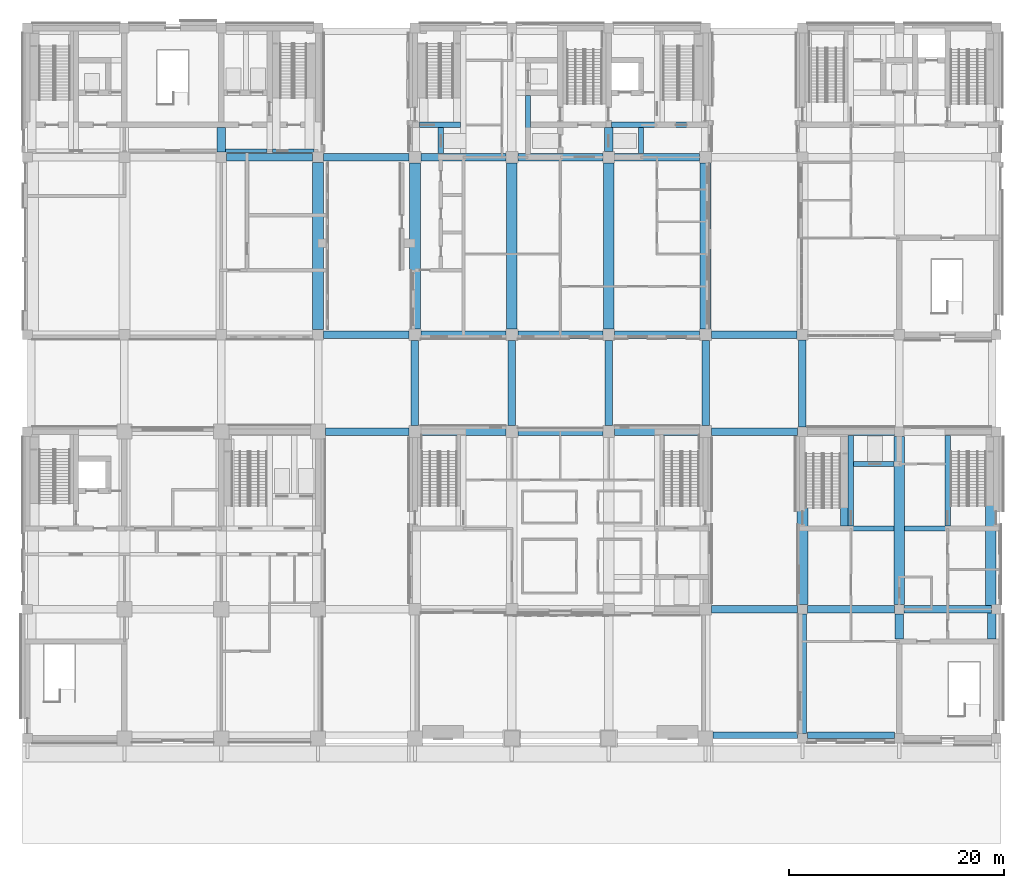
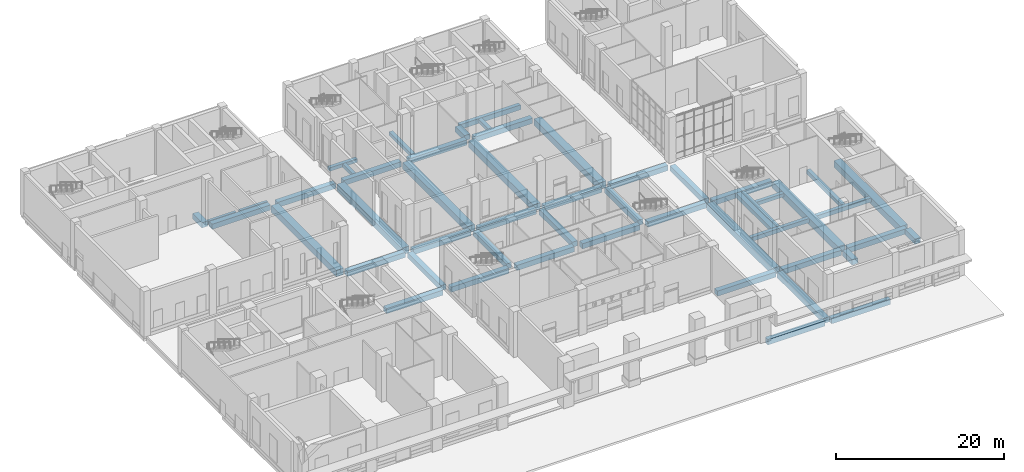
# One storey, part 2 of 35: 52 beams.
"""IFC4 building model written with IfcOpenShell, lengths in metres."""

import ifcopenshell
import ifcopenshell.guid

model = None  # the IFC model being written
_history = None  # IfcOwnerHistory: only IFC2X3 demands one
_inside = {}  # id of a spatial element -> (the spatial element, [elements in it])
_under = {}  # id of a project, library or spatial element -> (it, [spatial elements below it])
_declared = {}  # id of a project -> (the project, [libraries it declares])
_typed = {}  # id of a type object -> (the type object, [elements of that type])
_made_of = {}  # id of a material, layer set ... -> (it, [elements and type objects made of it])


def new_model(schema):
    """Start an empty IFC model of exactly this schema.

    Asked for "IFC4X3", IfcOpenShell would pick the latest addendum, in which some entities
    have other attributes; the version numbers below select the first issue.
    IFC2X3 requires an IfcOwnerHistory on every rooted entity: one is made here for all.
    """
    global model, _history
    if schema == "IFC4X3":
        model = ifcopenshell.file(schema_version=(4, 3, 0, 0))
    else:
        model = ifcopenshell.file(schema=schema)
    _inside.clear()
    _under.clear()
    _declared.clear()
    _typed.clear()
    _made_of.clear()
    _history = None
    if model.schema == "IFC2X3":
        org = make("IfcOrganization", Name="unknown")
        user = make(
            "IfcPersonAndOrganization",
            ThePerson=make("IfcPerson", FamilyName="unknown"),
            TheOrganization=org,
        )
        app = make(
            "IfcApplication",
            ApplicationDeveloper=org,
            Version="unknown",
            ApplicationFullName="unknown",
            ApplicationIdentifier="unknown",
        )
        _history = make(
            "IfcOwnerHistory",
            OwningUser=user,
            OwningApplication=app,
            ChangeAction="ADDED",
            CreationDate=0,
        )
    return model


def make(cls, **values):
    """One entity of the class cls with the attributes given. An attribute that is None is left unset."""
    return model.create_entity(
        cls, **{name: value for name, value in values.items() if value is not None}
    )


def rooted(cls, **values):
    """An entity with a GlobalId (a new one), such as an element, a storey or a relation."""
    return make(cls, GlobalId=ifcopenshell.guid.new(), OwnerHistory=_history, **values)


def si_unit(unit_type, name, prefix=None):
    """IfcSIUnit, for example si_unit("LENGTHUNIT", "METRE", prefix="MILLI")."""
    return make("IfcSIUnit", UnitType=unit_type, Prefix=prefix, Name=name)


def assignment(units):
    """IfcUnitAssignment: the units of a project."""
    return None if units is None else make("IfcUnitAssignment", Units=units)


def point(xyz):
    """IfcCartesianPoint."""
    return None if xyz is None else make("IfcCartesianPoint", Coordinates=xyz)


def direction(xyz):
    """IfcDirection."""
    return None if xyz is None else make("IfcDirection", DirectionRatios=xyz)


def frame(location, z_axis=None, x_axis=None):
    """IfcAxis2Placement3D, a coordinate frame: its origin and axes. An axis left out is left unset."""
    return make(
        "IfcAxis2Placement3D",
        Location=point(location),
        Axis=direction(z_axis),
        RefDirection=direction(x_axis),
    )


def frame_2d(location, x_axis=None):
    """IfcAxis2Placement2D, a coordinate frame in the plane: its origin and x axis."""
    return make(
        "IfcAxis2Placement2D", Location=point(location), RefDirection=direction(x_axis)
    )


def origin():
    """The frame at (0, 0, 0) with its axes left unset."""
    return frame((0.0, 0.0, 0.0))


def origin_2d():
    """The frame at (0, 0) in the plane with its x axis left unset."""
    return frame_2d((0.0, 0.0))


def place(relative_to, where):
    """IfcLocalPlacement: puts the frame where relative to a parent placement (None: the world)."""
    return make(
        "IfcLocalPlacement", PlacementRelTo=relative_to, RelativePlacement=where
    )


def context(
    kind, dimensions, precision=None, world=None, true_north=None, identifier=None
):
    """IfcGeometricRepresentationContext, for example the 3D "Model" context."""
    return make(
        "IfcGeometricRepresentationContext",
        ContextIdentifier=identifier,
        ContextType=kind,
        CoordinateSpaceDimension=dimensions,
        Precision=precision,
        WorldCoordinateSystem=world,
        TrueNorth=true_north,
    )


def subcontext(parent, identifier, kind, view, scale=None):
    """IfcGeometricRepresentationSubContext, for example "Body" below "Model"."""
    return make(
        "IfcGeometricRepresentationSubContext",
        ContextIdentifier=identifier,
        ContextType=kind,
        ParentContext=parent,
        TargetScale=scale,
        TargetView=view,
    )


def project(units=None, contexts=None):
    """IfcProject with its units and contexts."""
    return rooted(
        "IfcProject",
        Name="project",
        RepresentationContexts=contexts,
        UnitsInContext=assignment(units),
    )


def spatial(cls, under=None, at=None, **own):
    """A site, building, storey or space (cls), placed at a placement, below another one or the project."""
    s = rooted(cls, ObjectPlacement=at, **own)
    if under is not None:
        _under.setdefault(under.id(), (under, []))[1].append(s)
    return s


def profile(cls, at=None, kind="AREA", **sizes):
    """A parametric profile (cls). Its sizes go by their IFC names, for example OverallWidth=200.0."""
    return make(cls, ProfileType=kind, Position=at, **sizes)


def rectangle(**sizes):
    """IfcRectangleProfileDef."""
    return profile("IfcRectangleProfileDef", **sizes)


def extrude(swept, where, along, depth):
    """IfcExtrudedAreaSolid: the profile swept, set in the frame where, extruded along a direction by depth."""
    return make(
        "IfcExtrudedAreaSolid",
        SweptArea=swept,
        Position=where,
        ExtrudedDirection=direction(along),
        Depth=depth,
    )


def shape(context_of_items, identifier, shape_type, items):
    """IfcShapeRepresentation: the items that make up one representation, for example the "Body"."""
    return make(
        "IfcShapeRepresentation",
        ContextOfItems=context_of_items,
        RepresentationIdentifier=identifier,
        RepresentationType=shape_type,
        Items=items,
    )


def material(Name=None, Category=None):
    """IfcMaterial."""
    return make("IfcMaterial", Name=Name, Category=Category)


def material_profile(
    of_material, cross_section, Name=None, Category=None, Priority=None
):
    """IfcMaterialProfile: a cross section and its material."""
    return make(
        "IfcMaterialProfile",
        Name=Name,
        Material=of_material,
        Profile=cross_section,
        Priority=Priority,
        Category=Category,
    )


def profile_set(profiles, Name=None, composite=None):
    """IfcMaterialProfileSet."""
    return make(
        "IfcMaterialProfileSet",
        Name=Name,
        MaterialProfiles=profiles,
        CompositeProfile=composite,
    )


def made_of(thing, what):
    """Note that an element or type object is made of a material, layer set ...; save() writes the relation."""
    if what is not None:
        _made_of.setdefault(what.id(), (what, []))[1].append(thing)
    return thing


def type_object(cls, material=None, **own):
    """A type object (cls), such as IfcWallType, which elements share."""
    return made_of(rooted(cls, **own), material)


def element(
    cls,
    number,
    at=None,
    inside=None,
    cuts=None,
    type_object=None,
    material=None,
    context=None,
    identifier="Body",
    shape_type=None,
    held_by="IfcProductDefinitionShape",
    body=None,
    shapes=None,
    **own,
):
    """One element of the class cls, such as IfcWall. Its Tag is "e" and its number.

    at: its placement. inside: the storey or other place that contains it. cuts: it is an
    opening in that element (IfcRelVoidsElement). A single representation is given by context,
    identifier, shape_type and body (its items); several are given by shapes. held_by: the class
    of the entity that holds the representations. save() writes the other relations.
    """
    e = rooted(cls, Tag="e%d" % number, ObjectPlacement=at, **own)
    if body is not None:
        shapes = [shape(context, identifier, shape_type, body)]
    if shapes is not None:
        e.Representation = make(held_by, Representations=shapes)
    if inside is not None:
        _inside.setdefault(inside.id(), (inside, []))[1].append(e)
    if cuts is not None:
        rooted(
            "IfcRelVoidsElement", RelatingBuildingElement=cuts, RelatedOpeningElement=e
        )
    if type_object is not None:
        _typed.setdefault(type_object.id(), (type_object, []))[1].append(e)
    return made_of(e, material)


def aggregate(whole, parts):
    """IfcRelAggregates: a whole, such as a stair, and the parts it consists of."""
    return rooted("IfcRelAggregates", RelatingObject=whole, RelatedObjects=parts)


def save(model, path):
    """Write the relations noted so far, then the file.

    IfcRelAggregates (storeys below a building ...), IfcRelContainedInSpatialStructure (elements
    in a storey), IfcRelDefinesByType, IfcRelAssociatesMaterial and IfcRelDeclares: one each for
    every whole, place, type object, material and project.
    """
    for whole, parts in _under.values():
        aggregate(whole, parts)
    for where, things in _inside.values():
        rooted(
            "IfcRelContainedInSpatialStructure",
            RelatedElements=things,
            RelatingStructure=where,
        )
    for kind, things in _typed.values():
        rooted("IfcRelDefinesByType", RelatedObjects=things, RelatingType=kind)
    for what, things in _made_of.values():
        rooted("IfcRelAssociatesMaterial", RelatedObjects=things, RelatingMaterial=what)
    for by, libraries in _declared.values():
        rooted("IfcRelDeclares", RelatingContext=by, RelatedDefinitions=libraries)
    model.write(path)


model = new_model("IFC4")

# Units and contexts
model_context = context("Model", 3, precision=1e-05, world=origin(), true_north=direction((0.0, 1.0)))
body_context = subcontext(model_context, "Body", "Model", "MODEL_VIEW")
ifc_project = project(units=[si_unit("LENGTHUNIT", "METRE"), si_unit("AREAUNIT", "SQUARE_METRE"), si_unit("VOLUMEUNIT", "CUBIC_METRE"), si_unit("PLANEANGLEUNIT", "RADIAN"), si_unit("MASSUNIT", "GRAM", prefix="KILO")], contexts=[model_context])

# Site, building, storey
site_placement = place(None, origin())
site = spatial("IfcSite", under=ifc_project, at=site_placement, CompositionType="ELEMENT")
building_placement = place(site_placement, origin())
building = spatial("IfcBuilding", under=site, at=building_placement, Name="Aurelan Courthouse", CompositionType="ELEMENT")
storey_placement = place(building_placement, origin())
storey = spatial("IfcBuildingStorey", under=building, at=storey_placement, Name="L00", CompositionType="ELEMENT", Elevation=0.0)

# Beams
ifc_material_1 = material(Name="Concrete C50", Category="concrete")
ifc_material_profile_1 = material_profile(ifc_material_1, rectangle(XDim=0.699951171875, YDim=0.75, at=origin_2d()), Name="RC 700 x 750")
ifc_profile_set_1 = profile_set([ifc_material_profile_1], Name="Concrete C50")
beam_type_1 = type_object("IfcBeamType", Name="PT beam 700 x 750", PredefinedType="BEAM", material=ifc_profile_set_1)
for number, where, z_axis, x_axis, name in (
    (1, (36.0, 29.050048828125, -0.675048828125), (0.0, 1.0, 0.0), (-1.0, 0.0, 0.0), "Girder GB-5CD"),
    (2, (45.0, 29.050048828125, -0.675048828125), (0.0, 1.0, 0.0), (-1.0, 0.0, 0.0), "Girder GB-6CD"),
    (3, (54.0, 29.050048828125, -0.675048828125), (0.0, 1.0, 0.0), (-1.0, 0.0, 0.0), "Girder GB-7CD"),
    (4, (63.0, 29.050048828125, -0.675048828125), (0.0, 1.0, 0.0), (-1.0, 0.0, 0.0), "Girder GB-8CD"),
):
    element("IfcBeam", number, at=place(storey_placement, frame(where, z_axis=z_axis, x_axis=x_axis)), inside=storey, type_object=beam_type_1, Name=name, PredefinedType="BEAM", context=body_context, shape_type="SweptSolid", body=[
        extrude(rectangle(XDim=0.699951171875, YDim=0.75, at=origin_2d()), origin(), (0.0, 0.0, 1.0), 7.89990234375),
    ])
beam_1_placement = place(storey_placement, frame((72.0, 28.949951171875, -0.675048828125), z_axis=(0.0, 1.0, 0.0), x_axis=(-1.0, 0.0, 0.0)))
element("IfcBeam", 5, at=beam_1_placement, inside=storey, type_object=beam_type_1, Name="Girder GB-9CD", PredefinedType="BEAM", context=body_context, shape_type="SweptSolid", body=[
    extrude(rectangle(XDim=0.699951171875, YDim=0.75, at=origin_2d()), origin(), (0.0, 0.0, 1.0), 8.050048828125),
])
beam_2_placement = place(storey_placement, frame((63.550048828125, 12.0, -0.675048828125), z_axis=(1.0, 0.0, 0.0), x_axis=(0.0, 1.0, 0.0)))
element("IfcBeam", 6, at=beam_2_placement, inside=storey, type_object=beam_type_1, Name="Beam EB-B-8-9", PredefinedType="BEAM", context=body_context, shape_type="SweptSolid", body=[
    extrude(rectangle(XDim=0.699951171875, YDim=0.75, at=origin_2d()), origin(), (0.0, 0.0, 1.0), 8.0),
])
for number, where, z_axis, x_axis, name in (
    (7, (72.449951171875, 12.0, -0.675048828125), (1.0, 0.0, 0.0), (0.0, 1.0, 0.0), "Beam EB-B-9-10"),
    (8, (81.449951171875, 12.0, -0.675048828125), (1.0, 0.0, 0.0), (0.0, 1.0, 0.0), "Beam EB-B-10-11"),
):
    element("IfcBeam", number, at=place(storey_placement, frame(where, z_axis=z_axis, x_axis=x_axis)), inside=storey, type_object=beam_type_1, Name=name, PredefinedType="BEAM", context=body_context, shape_type="SweptSolid", body=[
        extrude(rectangle(XDim=0.699951171875, YDim=0.75, at=origin_2d()), origin(), (0.0, 0.0, 1.0), 8.10009765625),
    ])
beam_3_placement = place(storey_placement, frame((27.699951171875, 28.5, -0.675048828125), z_axis=(1.0, 0.0, 0.0), x_axis=(0.0, 1.0, 0.0)))
element("IfcBeam", 9, at=beam_3_placement, inside=storey, type_object=beam_type_1, Name="Beam EB-C-4-5", PredefinedType="BEAM", context=body_context, shape_type="SweptSolid", body=[
    extrude(rectangle(XDim=0.699951171875, YDim=0.75, at=origin_2d()), origin(), (0.0, 0.0, 1.0), 7.75),
])
for number, where, z_axis, x_axis, name in (
    (10, (36.550048828125, 28.5, -0.675048828125), (1.0, 0.0, 0.0), (0.0, 1.0, 0.0), "Beam EB-C-5-6"),
    (11, (45.550048828125, 28.5, -0.675048828125), (1.0, 0.0, 0.0), (0.0, 1.0, 0.0), "Beam EB-C-6-7"),
    (12, (54.550048828125, 28.5, -0.675048828125), (1.0, 0.0, 0.0), (0.0, 1.0, 0.0), "Beam EB-C-7-8"),
):
    element("IfcBeam", number, at=place(storey_placement, frame(where, z_axis=z_axis, x_axis=x_axis)), inside=storey, type_object=beam_type_1, Name=name, PredefinedType="BEAM", context=body_context, shape_type="SweptSolid", body=[
        extrude(rectangle(XDim=0.699951171875, YDim=0.75, at=origin_2d()), origin(), (0.0, 0.0, 1.0), 7.89990234375),
    ])
beam_4_placement = place(storey_placement, frame((63.550048828125, 28.5, -0.675048828125), z_axis=(1.0, 0.0, 0.0), x_axis=(0.0, 1.0, 0.0)))
element("IfcBeam", 13, at=beam_4_placement, inside=storey, type_object=beam_type_1, Name="Beam EB-C-8-9", PredefinedType="BEAM", context=body_context, shape_type="SweptSolid", body=[
    extrude(rectangle(XDim=0.699951171875, YDim=0.75, at=origin_2d()), origin(), (0.0, 0.0, 1.0), 8.0),
])
beam_5_placement = place(storey_placement, frame((72.449951171875, 28.5, -0.675048828125), z_axis=(1.0, 0.0, 0.0), x_axis=(0.0, 1.0, 0.0)))
element("IfcBeam", 14, at=beam_5_placement, inside=storey, type_object=beam_type_1, Name="Beam EB-C-9-10", PredefinedType="BEAM", context=body_context, shape_type="SweptSolid", body=[
    extrude(rectangle(XDim=0.699951171875, YDim=0.75, at=origin_2d()), origin(), (0.0, 0.0, 1.0), 8.10009765625),
])
beam_6_placement = place(storey_placement, frame((27.5, 37.5, -0.675048828125), z_axis=(1.0, 0.0, 0.0), x_axis=(0.0, 1.0, 0.0)))
element("IfcBeam", 15, at=beam_6_placement, inside=storey, type_object=beam_type_1, Name="Beam EB-D-4-5", PredefinedType="BEAM", context=body_context, shape_type="SweptSolid", body=[
    extrude(rectangle(XDim=0.699951171875, YDim=0.75, at=origin_2d()), origin(), (0.0, 0.0, 1.0), 7.949951171875),
])
for number, where, z_axis, x_axis, name in (
    (16, (36.550048828125, 37.5, -0.675048828125), (1.0, 0.0, 0.0), (0.0, 1.0, 0.0), "Beam EB-D-5-6"),
    (17, (45.550048828125, 37.5, -0.675048828125), (1.0, 0.0, 0.0), (0.0, 1.0, 0.0), "Beam EB-D-6-7"),
    (18, (54.550048828125, 37.5, -0.675048828125), (1.0, 0.0, 0.0), (0.0, 1.0, 0.0), "Beam EB-D-7-8"),
):
    element("IfcBeam", number, at=place(storey_placement, frame(where, z_axis=z_axis, x_axis=x_axis)), inside=storey, type_object=beam_type_1, Name=name, PredefinedType="BEAM", context=body_context, shape_type="SweptSolid", body=[
        extrude(rectangle(XDim=0.699951171875, YDim=0.75, at=origin_2d()), origin(), (0.0, 0.0, 1.0), 7.89990234375),
    ])
beam_7_placement = place(storey_placement, frame((63.550048828125, 37.5, -0.675048828125), z_axis=(1.0, 0.0, 0.0), x_axis=(0.0, 1.0, 0.0)))
element("IfcBeam", 19, at=beam_7_placement, inside=storey, type_object=beam_type_1, Name="Beam EB-D-8-9", PredefinedType="BEAM", context=body_context, shape_type="SweptSolid", body=[
    extrude(rectangle(XDim=0.699951171875, YDim=0.75, at=origin_2d()), origin(), (0.0, 0.0, 1.0), 7.949951171875),
])
beam_8_placement = place(storey_placement, frame((18.5, 54.0, -0.675048828125), z_axis=(1.0, 0.0, 0.0), x_axis=(0.0, 1.0, 0.0)))
element("IfcBeam", 20, at=beam_8_placement, inside=storey, type_object=beam_type_1, Name="Beam EB-E-3-4", PredefinedType="BEAM", context=body_context, shape_type="SweptSolid", body=[
    extrude(rectangle(XDim=0.699951171875, YDim=0.75, at=origin_2d()), origin(), (0.0, 0.0, 1.0), 8.0),
])
beam_9_placement = place(storey_placement, frame((27.5, 54.0, -0.675048828125), z_axis=(1.0, 0.0, 0.0), x_axis=(0.0, 1.0, 0.0)))
element("IfcBeam", 21, at=beam_9_placement, inside=storey, type_object=beam_type_1, Name="Beam EB-E-4-5", PredefinedType="BEAM", context=body_context, shape_type="SweptSolid", body=[
    extrude(rectangle(XDim=0.699951171875, YDim=0.75, at=origin_2d()), origin(), (0.0, 0.0, 1.0), 7.949951171875),
])
for number, where, z_axis, x_axis, name in (
    (22, (36.550048828125, 54.0, -0.675048828125), (1.0, 0.0, 0.0), (0.0, 1.0, 0.0), "Beam EB-E-5-6"),
    (23, (45.550048828125, 54.0, -0.675048828125), (1.0, 0.0, 0.0), (0.0, 1.0, 0.0), "Beam EB-E-6-7"),
    (24, (54.550048828125, 54.0, -0.675048828125), (1.0, 0.0, 0.0), (0.0, 1.0, 0.0), "Beam EB-E-7-8"),
):
    element("IfcBeam", number, at=place(storey_placement, frame(where, z_axis=z_axis, x_axis=x_axis)), inside=storey, type_object=beam_type_1, Name=name, PredefinedType="BEAM", context=body_context, shape_type="SweptSolid", body=[
        extrude(rectangle(XDim=0.699951171875, YDim=0.75, at=origin_2d()), origin(), (0.0, 0.0, 1.0), 7.89990234375),
    ])
ifc_material_profile_2 = material_profile(ifc_material_1, rectangle(XDim=1.0, YDim=0.949951171875, at=origin_2d()), Name="RC 1000 x 950")
ifc_profile_set_2 = profile_set([ifc_material_profile_2], Name="Concrete C50")
beam_type_2 = type_object("IfcBeamType", Name="PT girder 1000 x 950", PredefinedType="BEAM", material=ifc_profile_set_2)
beam_10_placement = place(storey_placement, frame((27.0, 38.0, -0.77490234375), z_axis=(0.0, 1.0, 0.0), x_axis=(-1.0, 0.0, 0.0)))
element("IfcBeam", 25, at=beam_10_placement, inside=storey, type_object=beam_type_2, Name="Girder GB-4DE", PredefinedType="BEAM", context=body_context, shape_type="SweptSolid", body=[
    extrude(rectangle(XDim=1.0, YDim=0.949951171875, at=origin_2d()), origin(), (0.0, 0.0, 1.0), 15.5),
])
for number, where, z_axis, x_axis, name in (
    (26, (36.0, 38.050048828125, -0.77490234375), (0.0, 1.0, 0.0), (-1.0, 0.0, 0.0), "Girder GB-5DE"),
    (27, (45.0, 38.050048828125, -0.77490234375), (0.0, 1.0, 0.0), (-1.0, 0.0, 0.0), "Girder GB-6DE"),
    (28, (54.0, 38.050048828125, -0.77490234375), (0.0, 1.0, 0.0), (-1.0, 0.0, 0.0), "Girder GB-7DE"),
    (29, (63.0, 38.050048828125, -0.77490234375), (0.0, 1.0, 0.0), (-1.0, 0.0, 0.0), "Girder GB-8DE"),
):
    element("IfcBeam", number, at=place(storey_placement, frame(where, z_axis=z_axis, x_axis=x_axis)), inside=storey, type_object=beam_type_2, Name=name, PredefinedType="BEAM", context=body_context, shape_type="SweptSolid", body=[
        extrude(rectangle(XDim=1.0, YDim=0.949951171875, at=origin_2d()), origin(), (0.0, 0.0, 1.0), 15.39990234375),
    ])
for number, where, z_axis, x_axis, name in (
    (30, (72.0, 12.449951171875, -0.77490234375), (0.0, 1.0, 0.0), (-1.0, 0.0, 0.0), "Girder GB-9BC"),
    (31, (81.0, 12.449951171875, -0.77490234375), (0.0, 1.0, 0.0), (-1.0, 0.0, 0.0), "Girder GB-10BC"),
):
    element("IfcBeam", number, at=place(storey_placement, frame(where, z_axis=z_axis, x_axis=x_axis)), inside=storey, type_object=beam_type_2, Name=name, PredefinedType="BEAM", context=body_context, shape_type="SweptSolid", body=[
        extrude(rectangle(XDim=1.0, YDim=0.949951171875, at=origin_2d()), origin(), (0.0, 0.0, 1.0), 15.60009765625),
    ])
beam_11_placement = place(storey_placement, frame((89.5, 12.35009765625, -0.77490234375), z_axis=(0.0, 1.0, 0.0), x_axis=(-1.0, 0.0, 0.0)))
element("IfcBeam", 32, at=beam_11_placement, inside=storey, type_object=beam_type_2, Name="Girder GB-11BC-E", PredefinedType="BEAM", context=body_context, shape_type="SweptSolid", body=[
    extrude(rectangle(XDim=1.0, YDim=0.949951171875, at=origin_2d()), origin(), (0.0, 0.0, 1.0), 15.7998046875),
])
ifc_material_profile_3 = material_profile(ifc_material_1, rectangle(XDim=0.800048828125, YDim=0.75, at=origin_2d()), Name="RC 800 x 750")
ifc_profile_set_3 = profile_set([ifc_material_profile_3], Name="Concrete C50")
beam_type_3 = type_object("IfcBeamType", Name="PT girder 800 x 750", PredefinedType="BEAM", material=ifc_profile_set_3)
beam_12_placement = place(storey_placement, frame((18.0, 54.5, -0.675048828125), z_axis=(0.0, 1.0, 0.0), x_axis=(-1.0, 0.0, 0.0)))
element("IfcBeam", 33, at=beam_12_placement, inside=storey, type_object=beam_type_3, Name="Girder GB-3EF", PredefinedType="BEAM", context=body_context, shape_type="SweptSolid", body=[
    extrude(rectangle(XDim=0.800048828125, YDim=0.75, at=origin_2d()), origin(), (0.0, 0.0, 1.0), 2.25),
])
beam_13_placement = place(storey_placement, frame((54.0, 54.550048828125, -0.675048828125), z_axis=(0.0, 1.0, 0.0), x_axis=(-1.0, 0.0, 0.0)))
element("IfcBeam", 34, at=beam_13_placement, inside=storey, type_object=beam_type_3, Name="Girder GB-7EF", PredefinedType="BEAM", context=body_context, shape_type="SweptSolid", body=[
    extrude(rectangle(XDim=0.800048828125, YDim=0.75, at=origin_2d()), origin(), (0.0, 0.0, 1.0), 2.199951171875),
])
beam_14_placement = place(storey_placement, frame((72.0, 0.449951171875, -0.675048828125), z_axis=(0.0, 1.0, 0.0), x_axis=(-1.0, 0.0, 0.0)))
element("IfcBeam", 35, at=beam_14_placement, inside=storey, type_object=beam_type_3, Name="Girder GB-9AB", PredefinedType="BEAM", context=body_context, shape_type="SweptSolid", body=[
    extrude(rectangle(XDim=0.800048828125, YDim=0.75, at=origin_2d()), origin(), (0.0, 0.0, 1.0), 11.10009765625),
])
beam_15_placement = place(storey_placement, frame((81.0, 9.25, -0.675048828125), z_axis=(0.0, 1.0, 0.0), x_axis=(-1.0, 0.0, 0.0)))
element("IfcBeam", 36, at=beam_15_placement, inside=storey, type_object=beam_type_3, Name="Girder GB-10AB", PredefinedType="BEAM", context=body_context, shape_type="SweptSolid", body=[
    extrude(rectangle(XDim=0.800048828125, YDim=0.75, at=origin_2d()), origin(), (0.0, 0.0, 1.0), 2.300048828125),
])
beam_16_placement = place(storey_placement, frame((89.60009765625, 9.25, -0.675048828125), z_axis=(0.0, 1.0, 0.0), x_axis=(-1.0, 0.0, 0.0)))
element("IfcBeam", 37, at=beam_16_placement, inside=storey, type_object=beam_type_3, Name="Girder GB-11AB-E", PredefinedType="BEAM", context=body_context, shape_type="SweptSolid", body=[
    extrude(rectangle(XDim=0.800048828125, YDim=0.75, at=origin_2d()), origin(), (0.0, 0.0, 1.0), 2.39990234375),
])
ifc_material_profile_4 = material_profile(ifc_material_1, rectangle(XDim=0.60009765625, YDim=0.800048828125, at=origin_2d()), Name="RC 600 x 800")
ifc_profile_set_4 = profile_set([ifc_material_profile_4], Name="Concrete C50")
beam_type_4 = type_object("IfcBeamType", Name="RC spandrel beam 600 x 800", PredefinedType="SPANDREL", material=ifc_profile_set_4)
beam_17_placement = place(storey_placement, frame((63.699951171875, 0.300048828125, -0.699951171875), z_axis=(1.0, 0.0, 0.0), x_axis=(0.0, 1.0, 0.0)))
element("IfcBeam", 38, at=beam_17_placement, inside=storey, type_object=beam_type_4, Name="Spandrel beam SB-A-8-9", PredefinedType="SPANDREL", context=body_context, shape_type="SweptSolid", body=[
    extrude(rectangle(XDim=0.60009765625, YDim=0.800048828125, at=origin_2d()), origin(), (0.0, 0.0, 1.0), 7.85009765625),
])
beam_18_placement = place(storey_placement, frame((72.449951171875, 0.300048828125, -0.699951171875), z_axis=(1.0, 0.0, 0.0), x_axis=(0.0, 1.0, 0.0)))
element("IfcBeam", 39, at=beam_18_placement, inside=storey, type_object=beam_type_4, Name="Spandrel beam SB-A-9-10", PredefinedType="SPANDREL", context=body_context, shape_type="SweptSolid", body=[
    extrude(rectangle(XDim=0.60009765625, YDim=0.800048828125, at=origin_2d()), origin(), (0.0, 0.0, 1.0), 8.10009765625),
])
ifc_material_2 = material(Name="Concrete C40", Category="concrete")
ifc_material_profile_5 = material_profile(ifc_material_2, rectangle(XDim=0.35009765625, YDim=0.5, at=origin_2d()), Name="RC 350 x 500")
ifc_profile_set_5 = profile_set([ifc_material_profile_5], Name="Concrete C40")
beam_type_5 = type_object("IfcBeamType", Name="RC wall beam 350 x 500", PredefinedType="BEAM", material=ifc_profile_set_5)
for number, where, z_axis, x_axis, name in (
    (40, (18.39990234375, 54.60009765625, -0.550048828125), (1.0, 0.0, 0.0), (0.0, 1.0, 0.0), "Wall beam WB-L00-045"),
    (41, (22.75, 54.60009765625, -0.550048828125), (1.0, 0.0, 0.0), (0.0, 1.0, 0.0), "Wall beam WB-L00-046"),
):
    element("IfcBeam", number, at=place(storey_placement, frame(where, z_axis=z_axis, x_axis=x_axis)), inside=storey, type_object=beam_type_5, Name=name, PredefinedType="BEAM", context=body_context, shape_type="SweptSolid", body=[
        extrude(rectangle(XDim=0.35009765625, YDim=0.5, at=origin_2d()), origin(), (0.0, 0.0, 1.0), 3.85009765625),
    ])
ifc_material_profile_6 = material_profile(ifc_material_2, rectangle(XDim=0.5, YDim=0.5, at=origin_2d()), Name="RC 500 x 500")
ifc_profile_set_6 = profile_set([ifc_material_profile_6], Name="Concrete C40")
beam_type_6 = type_object("IfcBeamType", Name="RC wall beam 500 x 500", PredefinedType="BEAM", material=ifc_profile_set_6)
beam_19_placement = place(storey_placement, frame((36.39990234375, 57.0, -0.550048828125), z_axis=(1.0, 0.0, 0.0), x_axis=(0.0, 1.0, 0.0)))
element("IfcBeam", 42, at=beam_19_placement, inside=storey, type_object=beam_type_6, Name="Wall beam WB-L00-022", PredefinedType="BEAM", context=body_context, shape_type="SweptSolid", body=[
    extrude(rectangle(XDim=0.5, YDim=0.5, at=origin_2d()), origin(), (0.0, 0.0, 1.0), 3.85009765625),
])
beam_20_placement = place(storey_placement, frame((46.5, 54.35009765625, -0.550048828125), z_axis=(0.0, 1.0, 0.0), x_axis=(-1.0, 0.0, 0.0)))
element("IfcBeam", 43, at=beam_20_placement, inside=storey, type_object=beam_type_6, Name="Wall beam WB-L00-026", PredefinedType="BEAM", context=body_context, shape_type="SweptSolid", body=[
    extrude(rectangle(XDim=0.5, YDim=0.5, at=origin_2d()), origin(), (0.0, 0.0, 1.0), 5.39990234375),
])
beam_21_placement = place(storey_placement, frame((57.0, 54.35009765625, -0.550048828125), z_axis=(0.0, 1.0, 0.0), x_axis=(-1.0, 0.0, 0.0)))
element("IfcBeam", 44, at=beam_21_placement, inside=storey, type_object=beam_type_6, Name="Wall beam WB-L00-028", PredefinedType="BEAM", context=body_context, shape_type="SweptSolid", body=[
    extrude(rectangle(XDim=0.5, YDim=0.5, at=origin_2d()), origin(), (0.0, 0.0, 1.0), 2.39990234375),
])
beam_22_placement = place(storey_placement, frame((76.75, 25.5, -0.550048828125), z_axis=(1.0, 0.0, 0.0), x_axis=(0.0, 1.0, 0.0)))
element("IfcBeam", 45, at=beam_22_placement, inside=storey, type_object=beam_type_6, Name="Wall beam WB-L00-031", PredefinedType="BEAM", context=body_context, shape_type="SweptSolid", body=[
    extrude(rectangle(XDim=0.5, YDim=0.5, at=origin_2d()), origin(), (0.0, 0.0, 1.0), 3.75),
])
beam_23_placement = place(storey_placement, frame((38.39990234375, 54.35009765625, -0.550048828125), z_axis=(0.0, 1.0, 0.0), x_axis=(-1.0, 0.0, 0.0)))
element("IfcBeam", 46, at=beam_23_placement, inside=storey, type_object=beam_type_6, Name="Wall beam WB-L00-035", PredefinedType="BEAM", context=body_context, shape_type="SweptSolid", body=[
    extrude(rectangle(XDim=0.5, YDim=0.5, at=origin_2d()), origin(), (0.0, 0.0, 1.0), 2.39990234375),
])
ifc_material_profile_7 = material_profile(ifc_material_2, rectangle(XDim=0.5, YDim=0.60009765625, at=origin_2d()), Name="RC 500 x 600")
ifc_profile_set_7 = profile_set([ifc_material_profile_7], Name="Concrete C40")
beam_type_7 = type_object("IfcBeamType", Name="RC wall beam 500 x 600", PredefinedType="BEAM", material=ifc_profile_set_7)
beam_24_placement = place(storey_placement, frame((72.5, 19.5, -0.60009765625), z_axis=(1.0, 0.0, 0.0), x_axis=(0.0, 1.0, 0.0)))
element("IfcBeam", 47, at=beam_24_placement, inside=storey, type_object=beam_type_7, Name="Wall beam WB-L00-008", PredefinedType="BEAM", context=body_context, shape_type="SweptSolid", body=[
    extrude(rectangle(XDim=0.5, YDim=0.60009765625, at=origin_2d()), origin(), (0.0, 0.0, 1.0), 8.0),
])
beam_25_placement = place(storey_placement, frame((81.5, 19.5, -0.60009765625), z_axis=(1.0, 0.0, 0.0), x_axis=(0.0, 1.0, 0.0)))
element("IfcBeam", 48, at=beam_25_placement, inside=storey, type_object=beam_type_7, Name="Wall beam WB-L00-009", PredefinedType="BEAM", context=body_context, shape_type="SweptSolid", body=[
    extrude(rectangle(XDim=0.5, YDim=0.60009765625, at=origin_2d()), origin(), (0.0, 0.0, 1.0), 7.5),
])
for number, where, z_axis, x_axis, name in (
    (49, (76.5, 19.75, -0.60009765625), (0.0, 1.0, 0.0), (-1.0, 0.0, 0.0), "Wall beam WB-L00-019"),
    (50, (85.5, 19.75, -0.60009765625), (0.0, 1.0, 0.0), (-1.0, 0.0, 0.0), "Wall beam WB-L00-021"),
):
    element("IfcBeam", number, at=place(storey_placement, frame(where, z_axis=z_axis, x_axis=x_axis)), inside=storey, type_object=beam_type_7, Name=name, PredefinedType="BEAM", context=body_context, shape_type="SweptSolid", body=[
        extrude(rectangle(XDim=0.5, YDim=0.60009765625, at=origin_2d()), origin(), (0.0, 0.0, 1.0), 8.39990234375),
    ])
ifc_material_profile_8 = material_profile(ifc_material_2, rectangle(XDim=0.5, YDim=0.699951171875, at=origin_2d()), Name="RC 500 x 700")
ifc_profile_set_8 = profile_set([ifc_material_profile_8], Name="Concrete C40")
beam_type_8 = type_object("IfcBeamType", Name="RC wall beam 500 x 700", PredefinedType="BEAM", material=ifc_profile_set_8)
beam_26_placement = place(storey_placement, frame((54.25, 57.0, -0.64990234375), z_axis=(1.0, 0.0, 0.0), x_axis=(0.0, 1.0, 0.0)))
element("IfcBeam", 51, at=beam_26_placement, inside=storey, type_object=beam_type_8, Name="Wall beam WB-L00-010", PredefinedType="BEAM", context=body_context, shape_type="SweptSolid", body=[
    extrude(rectangle(XDim=0.5, YDim=0.699951171875, at=origin_2d()), origin(), (0.0, 0.0, 1.0), 8.35009765625),
])
ifc_material_profile_9 = material_profile(ifc_material_2, rectangle(XDim=0.699951171875, YDim=0.60009765625, at=origin_2d()), Name="RC 700 x 600")
ifc_profile_set_9 = profile_set([ifc_material_profile_9], Name="Concrete C40")
beam_type_9 = type_object("IfcBeamType", Name="RC wall beam 700 x 600", PredefinedType="BEAM", material=ifc_profile_set_9)
beam_27_placement = place(storey_placement, frame((75.89990234375, 19.75, -0.60009765625), z_axis=(0.0, 1.0, 0.0), x_axis=(-1.0, 0.0, 0.0)))
element("IfcBeam", 52, at=beam_27_placement, inside=storey, type_object=beam_type_9, Name="Wall beam WB-L00-050", PredefinedType="BEAM", context=body_context, shape_type="SweptSolid", body=[
    extrude(rectangle(XDim=0.699951171875, YDim=0.60009765625, at=origin_2d()), origin(), (0.0, 0.0, 1.0), 8.39990234375),
])

save(model, "model.ifc")
